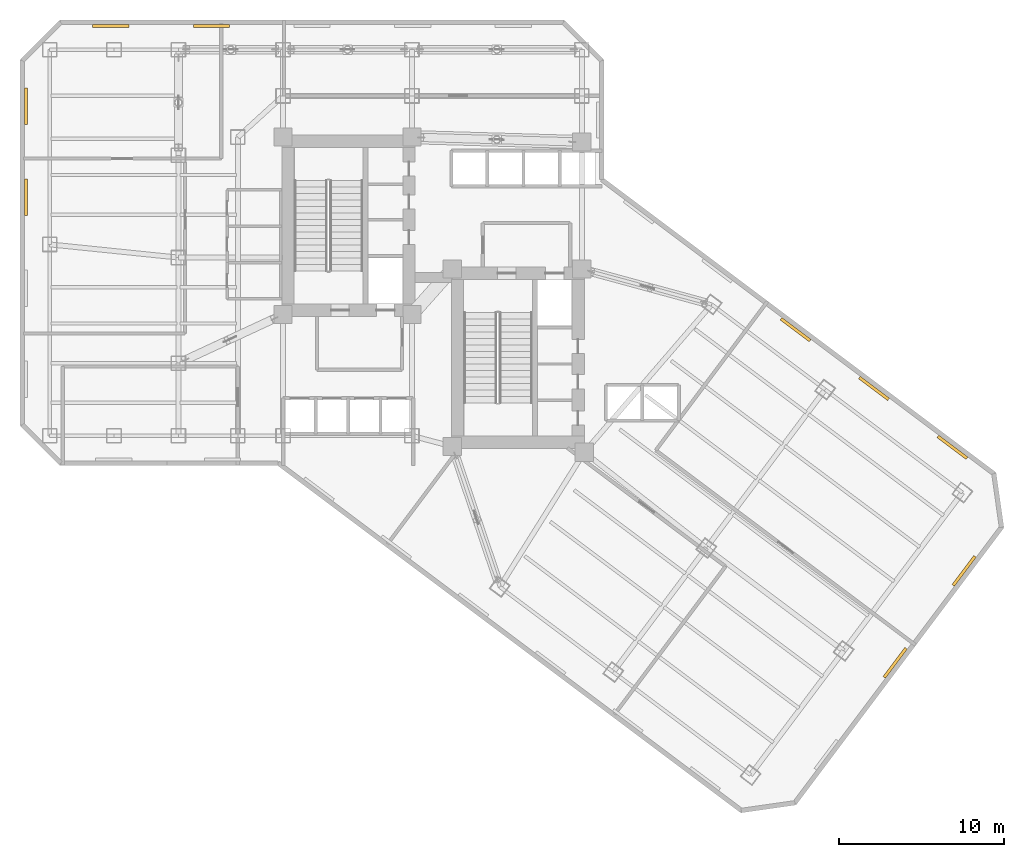
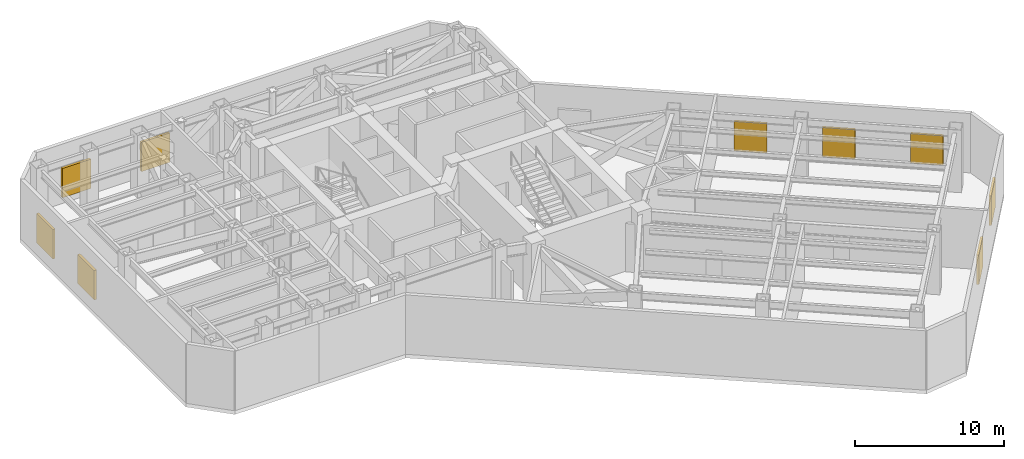
# One storey, part 13 of 14: 9 shading devices.
"""IFC4 building model written with IfcOpenShell, lengths in metres."""

from ifc_helpers import new_model, si_unit, direction, frame, origin, origin_2d, place, context, subcontext, project, spatial, rectangle, extrude, material, layer, layer_set, type_object, element, save


model = new_model("IFC4")

# Units and contexts
model_context = context("Model", 3, precision=1e-05, world=origin(), true_north=direction((0.0, 1.0)))
body_context = subcontext(model_context, "Body", "Model", "MODEL_VIEW")
ifc_project = project(units=[si_unit("LENGTHUNIT", "METRE"), si_unit("AREAUNIT", "SQUARE_METRE"), si_unit("VOLUMEUNIT", "CUBIC_METRE"), si_unit("PLANEANGLEUNIT", "RADIAN"), si_unit("MASSUNIT", "GRAM", prefix="KILO")], contexts=[model_context])

# Site, building, storey
site_placement = place(None, origin())
site = spatial("IfcSite", under=ifc_project, at=site_placement, CompositionType="ELEMENT")
building_placement = place(site_placement, origin())
building = spatial("IfcBuilding", under=site, at=building_placement, Name="Hatsunagi Terrace Concourse", CompositionType="ELEMENT")
storey_placement = place(building_placement, frame((0.0, 0.0, 91.35009765625)))
storey = spatial("IfcBuildingStorey", under=building, at=storey_placement, Name="L24", CompositionType="ELEMENT", Elevation=91.35009765625)

# Shading devices
ifc_material = material(Name="Powder-Coated Aluminium Acoustic Louvre", Category="aluminium")
ifc_layer = layer(ifc_material, 0.179931640625)
ifc_layer_set = layer_set([ifc_layer], Name="PlantAcousticLouvre_180")
shading_device_type = type_object("IfcShadingDeviceType", Name="PlantAcousticLouvre_180", PredefinedType="JALOUSIE", material=ifc_layer_set)
for number, where, z_axis, x_axis, name in (
    (1, (56.60693359375, 31.632080078125, 0.599853515625), (0.0, 0.0, 1.0), (0.80000835285, -0.599988862705, 0.0), "Plant Acoustic Louvre L24-01-3"),
    (2, (61.361083984375, 28.06689453125, 0.599853515625), (0.0, 0.0, 1.0), (0.80000835285, -0.599988862705, 0.0), "Plant Acoustic Louvre L24-01-4"),
    (3, (66.114990234375, 24.501953125, 0.599853515625), (0.0, 0.0, 1.0), (0.80000835285, -0.599988862705, 0.0), "Plant Acoustic Louvre L24-01-5"),
    (4, (66.821044921875, 17.010986328125, 0.599853515625), (0.0, 0.0, 1.0), (-0.599969314634, -0.800023013105, 0.0), "Plant Acoustic Louvre L24-03-1"),
    (5, (62.64404296875, 11.44189453125, 0.599853515625), (0.0, 0.0, 1.0), (-0.599969314634, -0.800023013105, 0.0), "Plant Acoustic Louvre L24-03-2"),
    (6, (9.969970703125, 39.659912109375, 0.599853515625), (0.0, 0.0, 1.0), (0.0, 1.0, 0.0), "Plant Acoustic Louvre L24-09-3"),
    (7, (9.969970703125, 45.180908203125, 0.599853515625), (0.0, 0.0, 1.0), (0.0, 1.0, 0.0), "Plant Acoustic Louvre L24-09-4"),
    (8, (15.10595703125, 50.030029296875, 0.599853515625), (0.0, 0.0, 1.0), (1.0, 0.0, 0.0), "Plant Acoustic Louvre L24-11-1"),
    (9, (21.202880859375, 50.030029296875, 0.599853515625), (0.0, 0.0, 1.0), (1.0, 0.0, 0.0), "Plant Acoustic Louvre L24-11-2"),
):
    element("IfcShadingDevice", number, at=place(storey_placement, frame(where, z_axis=z_axis, x_axis=x_axis)), inside=storey, type_object=shading_device_type, Name=name, PredefinedType="JALOUSIE", context=body_context, shape_type="SweptSolid", body=[
        extrude(rectangle(XDim=2.199951171875, YDim=0.179931640625, at=origin_2d()), origin(), (0.0, 0.0, 1.0), 2.39990234375),
    ])

save(model, "model.ifc")
